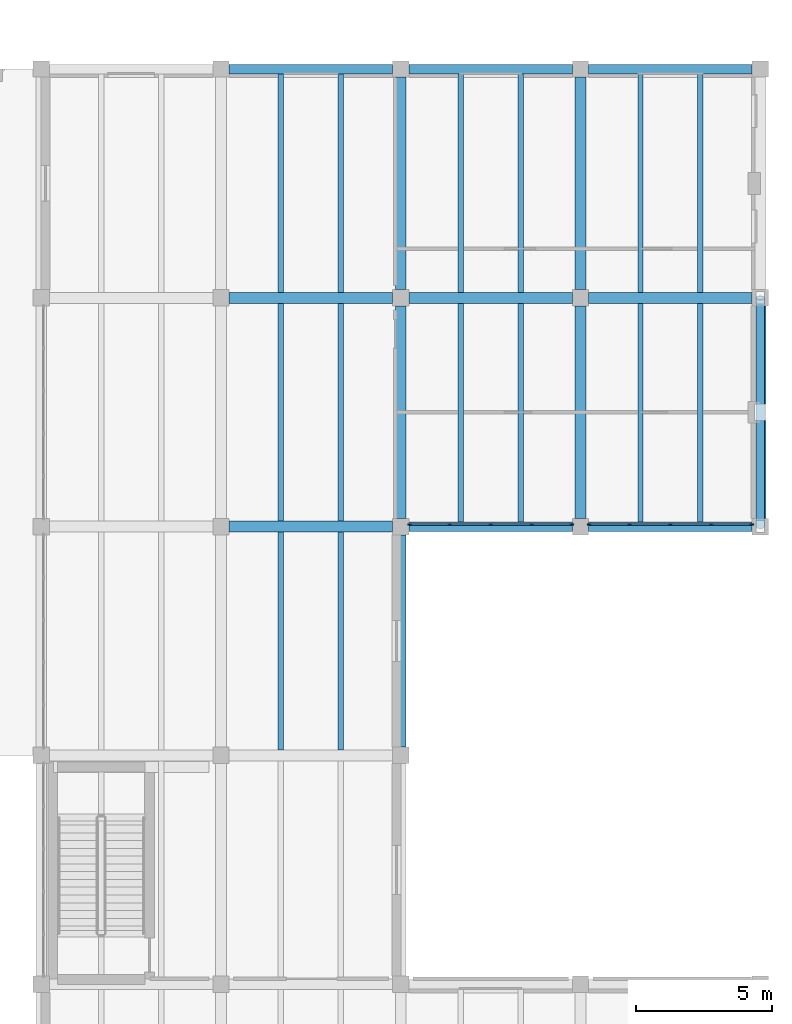
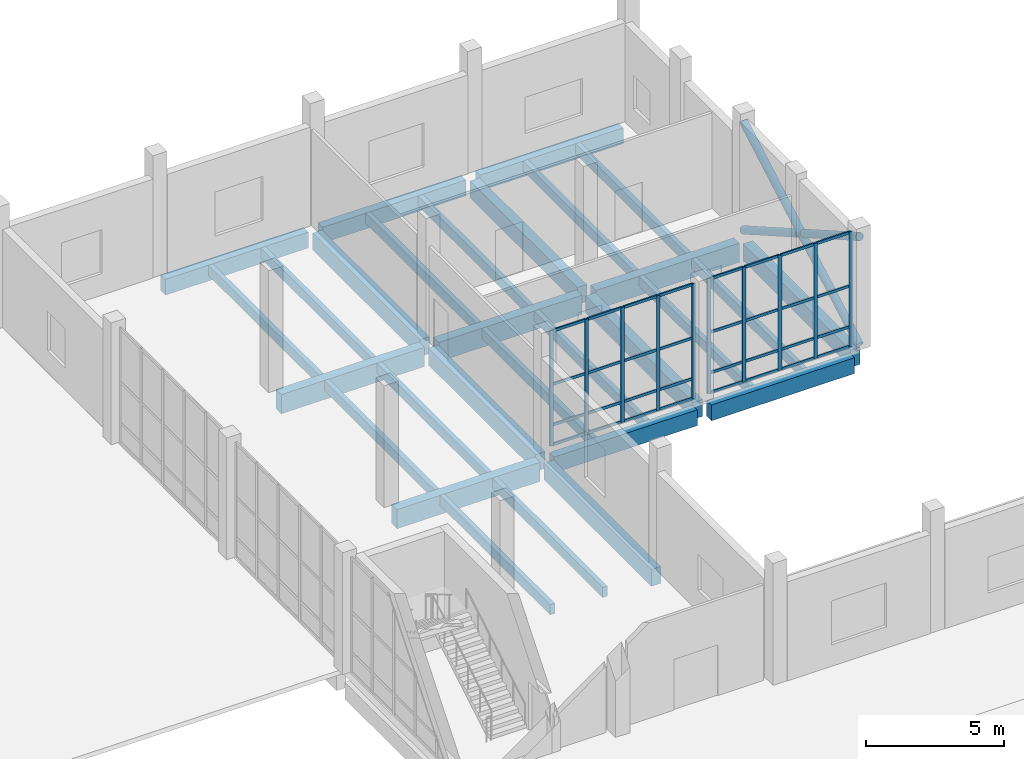
# One storey, part 26 of 64: 45 members, 29 beams, 2 elements without a shape of their own.
"""IFC4 building model written with IfcOpenShell, lengths in metres."""

from ifc_helpers import new_model, si_unit, direction, frame, origin, origin_2d, place, context, subcontext, project, spatial, rectangle, hollow_circle, extrude, material, material_profile, profile_set, type_object, element, aggregate, save


model = new_model("IFC4")

# Units and contexts
model_context = context("Model", 3, precision=1e-05, world=origin(), true_north=direction((0.0, 1.0)))
body_context = subcontext(model_context, "Body", "Model", "MODEL_VIEW")
ifc_project = project(units=[si_unit("LENGTHUNIT", "METRE"), si_unit("AREAUNIT", "SQUARE_METRE"), si_unit("VOLUMEUNIT", "CUBIC_METRE"), si_unit("PLANEANGLEUNIT", "RADIAN"), si_unit("MASSUNIT", "GRAM", prefix="KILO")], contexts=[model_context])

# Site, building, storey
site_placement = place(None, origin())
site = spatial("IfcSite", under=ifc_project, at=site_placement, CompositionType="ELEMENT")
building_placement = place(site_placement, origin())
building = spatial("IfcBuilding", under=site, at=building_placement, Name="Qaldarim Faculty of Natural and Applied Sciences", CompositionType="ELEMENT")
storey_placement = place(building_placement, origin())
storey = spatial("IfcBuildingStorey", under=building, at=storey_placement, Name="L00", CompositionType="ELEMENT", Elevation=0.0)

# Beams
ifc_material_1 = material(Name="Concrete C50/60", Category="concrete")
ifc_material_profile_1 = material_profile(ifc_material_1, rectangle(XDim=0.39990234375, YDim=0.75, at=origin_2d()), Name="RC-B400x750")
ifc_profile_set_1 = profile_set([ifc_material_profile_1], Name="Concrete C50/60")
beam_type_1 = type_object("IfcBeamType", Name="LabGirder-RC400x750", PredefinedType="BEAM", material=ifc_profile_set_1)
beam_1_placement = place(storey_placement, frame((165.0, 92.699951171875, -0.735107421875), z_axis=(0.0, 1.0, 0.0), x_axis=(-1.0, 0.0, 0.0)))
element("IfcBeam", 1, at=beam_1_placement, inside=storey, type_object=beam_type_1, Name="Beam RC-B400x750 B01 X26/Y12-Y13", PredefinedType="BEAM", context=body_context, shape_type="SweptSolid", body=[
    extrude(rectangle(XDim=0.39990234375, YDim=0.75, at=origin_2d()), origin(), (0.0, 0.0, 1.0), 7.800048828125),
])
beam_2_placement = place(storey_placement, frame((165.0, 101.10009765625, -0.735107421875), z_axis=(0.0, 1.0, 0.0), x_axis=(-1.0, 0.0, 0.0)))
element("IfcBeam", 2, at=beam_2_placement, inside=storey, type_object=beam_type_1, Name="Beam RC-B400x750 B01 X26/Y13-Y14", PredefinedType="BEAM", context=body_context, shape_type="SweptSolid", body=[
    extrude(rectangle(XDim=0.39990234375, YDim=0.75, at=origin_2d()), origin(), (0.0, 0.0, 1.0), 7.7998046875),
])
beam_3_placement = place(storey_placement, frame((165.0, 109.5, -0.735107421875), z_axis=(0.0, 1.0, 0.0), x_axis=(-1.0, 0.0, 0.0)))
element("IfcBeam", 3, at=beam_3_placement, inside=storey, type_object=beam_type_1, Name="Beam RC-B400x750 B01 X26/Y14-Y15", PredefinedType="BEAM", context=body_context, shape_type="SweptSolid", body=[
    extrude(rectangle(XDim=0.39990234375, YDim=0.75, at=origin_2d()), origin(), (0.0, 0.0, 1.0), 7.800048828125),
])
beam_4_placement = place(storey_placement, frame((171.60009765625, 101.10009765625, -0.735107421875), z_axis=(0.0, 1.0, 0.0), x_axis=(-1.0, 0.0, 0.0)))
element("IfcBeam", 4, at=beam_4_placement, inside=storey, type_object=beam_type_1, Name="Beam RC-B400x750 B01 X27/Y13-Y14", PredefinedType="BEAM", context=body_context, shape_type="SweptSolid", body=[
    extrude(rectangle(XDim=0.39990234375, YDim=0.75, at=origin_2d()), origin(), (0.0, 0.0, 1.0), 7.7998046875),
])
beam_5_placement = place(storey_placement, frame((171.60009765625, 109.5, -0.735107421875), z_axis=(0.0, 1.0, 0.0), x_axis=(-1.0, 0.0, 0.0)))
element("IfcBeam", 5, at=beam_5_placement, inside=storey, type_object=beam_type_1, Name="Beam RC-B400x750 B01 X27/Y14-Y15", PredefinedType="BEAM", context=body_context, shape_type="SweptSolid", body=[
    extrude(rectangle(XDim=0.39990234375, YDim=0.75, at=origin_2d()), origin(), (0.0, 0.0, 1.0), 7.800048828125),
])
beam_6_placement = place(storey_placement, frame((178.199951171875, 101.10009765625, -0.735107421875), z_axis=(0.0, 1.0, 0.0), x_axis=(-1.0, 0.0, 0.0)))
element("IfcBeam", 6, at=beam_6_placement, inside=storey, type_object=beam_type_1, Name="Beam RC-B400x750 B01 X28/Y13-Y14", PredefinedType="BEAM", context=body_context, shape_type="SweptSolid", body=[
    extrude(rectangle(XDim=0.39990234375, YDim=0.75, at=origin_2d()), origin(), (0.0, 0.0, 1.0), 7.7998046875),
])
ifc_material_2 = material(Name="Concrete C40/50", Category="concrete")
ifc_material_profile_2 = material_profile(ifc_material_2, rectangle(XDim=0.199951171875, YDim=0.449951171875, at=origin_2d()), Name="RC-J200x450")
ifc_profile_set_2 = profile_set([ifc_material_profile_2], Name="Concrete C40/50")
beam_type_2 = type_object("IfcBeamType", Name="LabJoist-RC200x450", PredefinedType="JOIST", material=ifc_profile_set_2)
for number, where, z_axis, x_axis, name in (
    (7, (160.60009765625, 92.60009765625, -0.5849609375), (0.0, 1.0, 0.0), (-1.0, 0.0, 0.0), "Laboratory joist B01 bay X25Y12-1"),
    (8, (162.800048828125, 92.60009765625, -0.5849609375), (0.0, 1.0, 0.0), (-1.0, 0.0, 0.0), "Laboratory joist B01 bay X25Y12-2"),
    (9, (160.60009765625, 101.0, -0.5849609375), (0.0, 1.0, 0.0), (-1.0, 0.0, 0.0), "Laboratory joist B01 bay X25Y13-1"),
    (10, (162.800048828125, 101.0, -0.5849609375), (0.0, 1.0, 0.0), (-1.0, 0.0, 0.0), "Laboratory joist B01 bay X25Y13-2"),
):
    element("IfcBeam", number, at=place(storey_placement, frame(where, z_axis=z_axis, x_axis=x_axis)), inside=storey, type_object=beam_type_2, Name=name, PredefinedType="JOIST", context=body_context, shape_type="SweptSolid", body=[
        extrude(rectangle(XDim=0.199951171875, YDim=0.449951171875, at=origin_2d()), origin(), (0.0, 0.0, 1.0), 8.0),
    ])
for number, where, z_axis, x_axis, name in (
    (11, (160.60009765625, 109.39990234375, -0.5849609375), (0.0, 1.0, 0.0), (-1.0, 0.0, 0.0), "Laboratory joist B01 bay X25Y14-1"),
    (12, (162.800048828125, 109.39990234375, -0.5849609375), (0.0, 1.0, 0.0), (-1.0, 0.0, 0.0), "Laboratory joist B01 bay X25Y14-2"),
):
    element("IfcBeam", number, at=place(storey_placement, frame(where, z_axis=z_axis, x_axis=x_axis)), inside=storey, type_object=beam_type_2, Name=name, PredefinedType="JOIST", context=body_context, shape_type="SweptSolid", body=[
        extrude(rectangle(XDim=0.199951171875, YDim=0.449951171875, at=origin_2d()), origin(), (0.0, 0.0, 1.0), 8.025146484375),
    ])
for number, where, z_axis, x_axis, name in (
    (13, (167.199951171875, 100.97509765625, -0.5849609375), (0.0, 1.0, 0.0), (-1.0, 0.0, 0.0), "Laboratory joist B01 bay X26Y13-1"),
    (14, (169.39990234375, 100.97509765625, -0.5849609375), (0.0, 1.0, 0.0), (-1.0, 0.0, 0.0), "Laboratory joist B01 bay X26Y13-2"),
):
    element("IfcBeam", number, at=place(storey_placement, frame(where, z_axis=z_axis, x_axis=x_axis)), inside=storey, type_object=beam_type_2, Name=name, PredefinedType="JOIST", context=body_context, shape_type="SweptSolid", body=[
        extrude(rectangle(XDim=0.199951171875, YDim=0.449951171875, at=origin_2d()), origin(), (0.0, 0.0, 1.0), 8.02490234375),
    ])
for number, where, z_axis, x_axis, name in (
    (15, (167.199951171875, 109.39990234375, -0.5849609375), (0.0, 1.0, 0.0), (-1.0, 0.0, 0.0), "Laboratory joist B01 bay X26Y14-1"),
    (16, (169.39990234375, 109.39990234375, -0.5849609375), (0.0, 1.0, 0.0), (-1.0, 0.0, 0.0), "Laboratory joist B01 bay X26Y14-2"),
):
    element("IfcBeam", number, at=place(storey_placement, frame(where, z_axis=z_axis, x_axis=x_axis)), inside=storey, type_object=beam_type_2, Name=name, PredefinedType="JOIST", context=body_context, shape_type="SweptSolid", body=[
        extrude(rectangle(XDim=0.199951171875, YDim=0.449951171875, at=origin_2d()), origin(), (0.0, 0.0, 1.0), 8.025146484375),
    ])
for number, where, z_axis, x_axis, name in (
    (17, (173.800048828125, 100.97509765625, -0.5849609375), (0.0, 1.0, 0.0), (-1.0, 0.0, 0.0), "Laboratory joist B01 bay X27Y13-1"),
    (18, (176.0, 100.97509765625, -0.5849609375), (0.0, 1.0, 0.0), (-1.0, 0.0, 0.0), "Laboratory joist B01 bay X27Y13-2"),
):
    element("IfcBeam", number, at=place(storey_placement, frame(where, z_axis=z_axis, x_axis=x_axis)), inside=storey, type_object=beam_type_2, Name=name, PredefinedType="JOIST", context=body_context, shape_type="SweptSolid", body=[
        extrude(rectangle(XDim=0.199951171875, YDim=0.449951171875, at=origin_2d()), origin(), (0.0, 0.0, 1.0), 8.02490234375),
    ])
for number, where, z_axis, x_axis, name in (
    (19, (173.800048828125, 109.39990234375, -0.5849609375), (0.0, 1.0, 0.0), (-1.0, 0.0, 0.0), "Laboratory joist B01 bay X27Y14-1"),
    (20, (176.0, 109.39990234375, -0.5849609375), (0.0, 1.0, 0.0), (-1.0, 0.0, 0.0), "Laboratory joist B01 bay X27Y14-2"),
):
    element("IfcBeam", number, at=place(storey_placement, frame(where, z_axis=z_axis, x_axis=x_axis)), inside=storey, type_object=beam_type_2, Name=name, PredefinedType="JOIST", context=body_context, shape_type="SweptSolid", body=[
        extrude(rectangle(XDim=0.199951171875, YDim=0.449951171875, at=origin_2d()), origin(), (0.0, 0.0, 1.0), 8.025146484375),
    ])

# Members
ifc_material_3 = material(Name="Structural steel S355", Category="steel")
ifc_material_profile_3 = material_profile(ifc_material_3, hollow_circle(Radius=0.161865234375, WallThickness=0.02001953125, at=origin_2d()), Name="CHS 323.9x20.0")
ifc_profile_set_3 = profile_set([ifc_material_profile_3], Name="Structural steel S355")
member_type_1 = type_object("IfcMemberType", Name="LowerWingBrace-CHS323-9x20", PredefinedType="BRACE", material=ifc_profile_set_3)
member_1_placement = place(storey_placement, frame((178.199951171875, 100.800048828125, 0.0), z_axis=(0.0, 0.8682384833, 0.49614709121), x_axis=(-1.0, 0.0, 0.0)))
element("IfcMember", 21, at=member_1_placement, inside=storey, type_object=member_type_1, Name="Commons east diagrid L00 primary brace L", PredefinedType="BRACE", context=body_context, shape_type="SweptSolid", body=[
    extrude(hollow_circle(Radius=0.161865234375, WallThickness=0.02001953125, at=origin_2d()), origin(), (0.0, 0.0, 1.0), 9.674560546875),
])
for number, where, z_axis, x_axis, name in (
    (22, (178.199951171875, 109.199951171875, 0.0), (0.0, -0.868373251321, 0.495911177924), (1.0, 0.0, 0.0), "Commons east diagrid L00 split secondary lower brace R1"),
    (23, (178.199951171875, 104.81005859375, 2.510009765625), (0.0, -0.868373251321, 0.495911177924), (1.0, 0.0, 0.0), "Commons east diagrid L00 split secondary upper brace R2"),
):
    element("IfcMember", number, at=place(storey_placement, frame(where, z_axis=z_axis, x_axis=x_axis)), inside=storey, type_object=member_type_1, Name=name, PredefinedType="BRACE", context=body_context, shape_type="SweptSolid", body=[
        extrude(hollow_circle(Radius=0.161865234375, WallThickness=0.02001953125, at=origin_2d()), origin(), (0.0, 0.0, 1.0), 4.617919921875),
    ])

# Curtain wall, members
ifc_material_4 = material(Name="Anodised aluminium AW-6063", Category="aluminium")
curtain_wall_type = type_object("IfcCurtainWallType", Name="CurtainWallSystem-M1600", PredefinedType="USERDEFINED", material=ifc_material_4)
curtain_wall_1_placement = place(storey_placement, origin())
curtain_wall_1 = element("IfcCurtainWall", 24, at=curtain_wall_1_placement, inside=storey, type_object=curtain_wall_type, Name="Curtain wall CW-L00-S-X26Y13", ObjectType="UNITISED FACADE", PredefinedType="USERDEFINED")
ifc_material_profile_4 = material_profile(ifc_material_4, rectangle(XDim=0.06005859375, YDim=0.14990234375, at=origin_2d()), Name="ALU-M60x150")
ifc_profile_set_4 = profile_set([ifc_material_profile_4], Name="Anodised aluminium AW-6063")
member_type_2 = type_object("IfcMemberType", Name="Mullion-ALU60x150", PredefinedType="MULLION", material=ifc_profile_set_4)
member_2_placement = place(storey_placement, frame((165.324951171875, 100.8798828125, 0.0), z_axis=(0.0, 0.0, 1.0), x_axis=(0.0, 1.0, 0.0)))
member_2 = element("IfcMember", 25, at=member_2_placement, type_object=member_type_2, Name="Mullion 1 of CW-L00-S-X26Y13", PredefinedType="MULLION", context=body_context, shape_type="SweptSolid", body=[
    extrude(rectangle(XDim=0.06005859375, YDim=0.14990234375, at=origin_2d()), origin(), (0.0, 0.0, 1.0), 5.10009765625),
])
member_3_placement = place(storey_placement, frame((166.797607421875, 100.8798828125, 0.0), z_axis=(0.0, 0.0, 1.0), x_axis=(0.0, 1.0, 0.0)))
member_3 = element("IfcMember", 26, at=member_3_placement, type_object=member_type_2, Name="Mullion 2 of CW-L00-S-X26Y13", PredefinedType="MULLION", context=body_context, shape_type="SweptSolid", body=[
    extrude(rectangle(XDim=0.06005859375, YDim=0.14990234375, at=origin_2d()), origin(), (0.0, 0.0, 1.0), 5.10009765625),
])
member_4_placement = place(storey_placement, frame((168.300048828125, 100.8798828125, 0.0), z_axis=(0.0, 0.0, 1.0), x_axis=(0.0, 1.0, 0.0)))
member_4 = element("IfcMember", 27, at=member_4_placement, type_object=member_type_2, Name="Mullion 3 of CW-L00-S-X26Y13", PredefinedType="MULLION", context=body_context, shape_type="SweptSolid", body=[
    extrude(rectangle(XDim=0.06005859375, YDim=0.14990234375, at=origin_2d()), origin(), (0.0, 0.0, 1.0), 5.10009765625),
])
member_5_placement = place(storey_placement, frame((169.802490234375, 100.8798828125, 0.0), z_axis=(0.0, 0.0, 1.0), x_axis=(0.0, 1.0, 0.0)))
member_5 = element("IfcMember", 28, at=member_5_placement, type_object=member_type_2, Name="Mullion 4 of CW-L00-S-X26Y13", PredefinedType="MULLION", context=body_context, shape_type="SweptSolid", body=[
    extrude(rectangle(XDim=0.06005859375, YDim=0.14990234375, at=origin_2d()), origin(), (0.0, 0.0, 1.0), 5.10009765625),
])
member_6_placement = place(storey_placement, frame((171.27490234375, 100.8798828125, 0.0), z_axis=(0.0, 0.0, 1.0), x_axis=(0.0, 1.0, 0.0)))
member_6 = element("IfcMember", 29, at=member_6_placement, type_object=member_type_2, Name="Mullion 5 of CW-L00-S-X26Y13", PredefinedType="MULLION", context=body_context, shape_type="SweptSolid", body=[
    extrude(rectangle(XDim=0.06005859375, YDim=0.14990234375, at=origin_2d()), origin(), (0.0, 0.0, 1.0), 5.10009765625),
])

curtain_wall_2_placement = place(storey_placement, origin())
curtain_wall_2 = element("IfcCurtainWall", 30, at=curtain_wall_2_placement, inside=storey, type_object=curtain_wall_type, Name="Curtain wall CW-L00-S-X27Y13", ObjectType="UNITISED FACADE", PredefinedType="USERDEFINED")
member_7_placement = place(storey_placement, frame((171.925048828125, 100.8798828125, 0.0), z_axis=(0.0, 0.0, 1.0), x_axis=(0.0, 1.0, 0.0)))
member_7 = element("IfcMember", 31, at=member_7_placement, type_object=member_type_2, Name="Mullion 1 of CW-L00-S-X27Y13", PredefinedType="MULLION", context=body_context, shape_type="SweptSolid", body=[
    extrude(rectangle(XDim=0.06005859375, YDim=0.14990234375, at=origin_2d()), origin(), (0.0, 0.0, 1.0), 5.10009765625),
])
member_8_placement = place(storey_placement, frame((173.3974609375, 100.8798828125, 0.0), z_axis=(0.0, 0.0, 1.0), x_axis=(0.0, 1.0, 0.0)))
member_8 = element("IfcMember", 32, at=member_8_placement, type_object=member_type_2, Name="Mullion 2 of CW-L00-S-X27Y13", PredefinedType="MULLION", context=body_context, shape_type="SweptSolid", body=[
    extrude(rectangle(XDim=0.06005859375, YDim=0.14990234375, at=origin_2d()), origin(), (0.0, 0.0, 1.0), 5.10009765625),
])
member_9_placement = place(storey_placement, frame((174.89990234375, 100.8798828125, 0.0), z_axis=(0.0, 0.0, 1.0), x_axis=(0.0, 1.0, 0.0)))
member_9 = element("IfcMember", 33, at=member_9_placement, type_object=member_type_2, Name="Mullion 3 of CW-L00-S-X27Y13", PredefinedType="MULLION", context=body_context, shape_type="SweptSolid", body=[
    extrude(rectangle(XDim=0.06005859375, YDim=0.14990234375, at=origin_2d()), origin(), (0.0, 0.0, 1.0), 5.10009765625),
])
member_10_placement = place(storey_placement, frame((176.402587890625, 100.8798828125, 0.0), z_axis=(0.0, 0.0, 1.0), x_axis=(0.0, 1.0, 0.0)))
member_10 = element("IfcMember", 34, at=member_10_placement, type_object=member_type_2, Name="Mullion 4 of CW-L00-S-X27Y13", PredefinedType="MULLION", context=body_context, shape_type="SweptSolid", body=[
    extrude(rectangle(XDim=0.06005859375, YDim=0.14990234375, at=origin_2d()), origin(), (0.0, 0.0, 1.0), 5.10009765625),
])
member_11_placement = place(storey_placement, frame((177.875, 100.8798828125, 0.0), z_axis=(0.0, 0.0, 1.0), x_axis=(0.0, 1.0, 0.0)))
member_11 = element("IfcMember", 35, at=member_11_placement, type_object=member_type_2, Name="Mullion 5 of CW-L00-S-X27Y13", PredefinedType="MULLION", context=body_context, shape_type="SweptSolid", body=[
    extrude(rectangle(XDim=0.06005859375, YDim=0.14990234375, at=origin_2d()), origin(), (0.0, 0.0, 1.0), 5.10009765625),
])

# Beams
ifc_material_profile_5 = material_profile(ifc_material_1, rectangle(XDim=0.39990234375, YDim=0.85009765625, at=origin_2d()), Name="RC-B400x850")
ifc_profile_set_5 = profile_set([ifc_material_profile_5], Name="Concrete C50/60")
beam_type_3 = type_object("IfcBeamType", Name="PodiumGirder-RC400x850", PredefinedType="BEAM", material=ifc_profile_set_5)
for number, where, z_axis, x_axis, name in (
    (36, (158.699951171875, 100.800048828125, -0.784912109375), (1.0, 0.0, 0.0), (0.0, 1.0, 0.0), "Beam RC-B400x850 B01 X25-X26/Y13"),
    (37, (158.699951171875, 109.199951171875, -0.784912109375), (1.0, 0.0, 0.0), (0.0, 1.0, 0.0), "Beam RC-B400x850 B01 X25-X26/Y14"),
    (38, (165.300048828125, 109.199951171875, -0.784912109375), (1.0, 0.0, 0.0), (0.0, 1.0, 0.0), "Beam RC-B400x850 B01 X26-X27/Y14"),
    (39, (171.89990234375, 109.199951171875, -0.784912109375), (1.0, 0.0, 0.0), (0.0, 1.0, 0.0), "Beam RC-B400x850 B01 X27-X28/Y14"),
):
    element("IfcBeam", number, at=place(storey_placement, frame(where, z_axis=z_axis, x_axis=x_axis)), inside=storey, type_object=beam_type_3, Name=name, PredefinedType="BEAM", context=body_context, shape_type="SweptSolid", body=[
        extrude(rectangle(XDim=0.39990234375, YDim=0.85009765625, at=origin_2d()), origin(), (0.0, 0.0, 1.0), 6.0),
    ])
ifc_material_profile_6 = material_profile(ifc_material_2, rectangle(XDim=0.35009765625, YDim=0.699951171875, at=origin_2d()), Name="RC-B350x700")
ifc_profile_set_6 = profile_set([ifc_material_profile_6], Name="Concrete C40/50")
beam_type_4 = type_object("IfcBeamType", Name="PrimaryGirder-RC350x700", PredefinedType="BEAM", material=ifc_profile_set_6)
for number, where, z_axis, x_axis, name in (
    (40, (165.300048828125, 100.800048828125, -0.7099609375), (1.0, 0.0, 0.0), (0.0, 1.0, 0.0), "Beam RC-B350x700 B01 X26-X27/Y13"),
    (41, (171.89990234375, 100.800048828125, -0.7099609375), (1.0, 0.0, 0.0), (0.0, 1.0, 0.0), "Beam RC-B350x700 B01 X27-X28/Y13"),
    (42, (158.699951171875, 117.60009765625, -0.7099609375), (1.0, 0.0, 0.0), (0.0, 1.0, 0.0), "Beam RC-B350x700 B01 X25-X26/Y15"),
    (43, (165.300048828125, 117.60009765625, -0.7099609375), (1.0, 0.0, 0.0), (0.0, 1.0, 0.0), "Beam RC-B350x700 B01 X26-X27/Y15"),
    (44, (171.89990234375, 117.60009765625, -0.7099609375), (1.0, 0.0, 0.0), (0.0, 1.0, 0.0), "Beam RC-B350x700 B01 X27-X28/Y15"),
):
    element("IfcBeam", number, at=place(storey_placement, frame(where, z_axis=z_axis, x_axis=x_axis)), inside=storey, type_object=beam_type_4, Name=name, PredefinedType="BEAM", context=body_context, shape_type="SweptSolid", body=[
        extrude(rectangle(XDim=0.35009765625, YDim=0.699951171875, at=origin_2d()), origin(), (0.0, 0.0, 1.0), 6.0),
    ])

# Member
ifc_material_profile_7 = material_profile(ifc_material_4, rectangle(XDim=0.06005859375, YDim=0.1201171875, at=origin_2d()), Name="ALU-T60x120")
ifc_profile_set_7 = profile_set([ifc_material_profile_7], Name="Anodised aluminium AW-6063")
member_type_3 = type_object("IfcMemberType", Name="Transom-ALU60x120", PredefinedType="USERDEFINED", material=ifc_profile_set_7)
member_12_placement = place(storey_placement, frame((165.35498046875, 100.8798828125, 0.030029296875), z_axis=(1.0, 0.0, 0.0), x_axis=(0.0, 1.0, 0.0)))
member_12 = element("IfcMember", 45, at=member_12_placement, type_object=member_type_3, Name="Transom 1-1 of CW-L00-S-X26Y13", ObjectType="TRANSOM", PredefinedType="USERDEFINED", context=body_context, shape_type="SweptSolid", body=[
    extrude(rectangle(XDim=0.06005859375, YDim=0.1201171875, at=origin_2d()), origin(), (0.0, 0.0, 1.0), 1.41259765625),
])

member_13_placement = place(storey_placement, frame((165.35498046875, 100.8798828125, 0.89990234375), z_axis=(1.0, 0.0, 0.0), x_axis=(0.0, 1.0, 0.0)))
member_13 = element("IfcMember", 46, at=member_13_placement, type_object=member_type_3, Name="Transom 1-2 of CW-L00-S-X26Y13", ObjectType="TRANSOM", PredefinedType="USERDEFINED", context=body_context, shape_type="SweptSolid", body=[
    extrude(rectangle(XDim=0.06005859375, YDim=0.1201171875, at=origin_2d()), origin(), (0.0, 0.0, 1.0), 1.41259765625),
])

member_14_placement = place(storey_placement, frame((165.35498046875, 100.8798828125, 2.699951171875), z_axis=(1.0, 0.0, 0.0), x_axis=(0.0, 1.0, 0.0)))
member_14 = element("IfcMember", 47, at=member_14_placement, type_object=member_type_3, Name="Transom 1-3 of CW-L00-S-X26Y13", ObjectType="TRANSOM", PredefinedType="USERDEFINED", context=body_context, shape_type="SweptSolid", body=[
    extrude(rectangle(XDim=0.06005859375, YDim=0.1201171875, at=origin_2d()), origin(), (0.0, 0.0, 1.0), 1.41259765625),
])

member_15_placement = place(storey_placement, frame((165.35498046875, 100.8798828125, 5.070068359375), z_axis=(1.0, 0.0, 0.0), x_axis=(0.0, 1.0, 0.0)))
member_15 = element("IfcMember", 48, at=member_15_placement, type_object=member_type_3, Name="Transom 1-4 of CW-L00-S-X26Y13", ObjectType="TRANSOM", PredefinedType="USERDEFINED", context=body_context, shape_type="SweptSolid", body=[
    extrude(rectangle(XDim=0.06005859375, YDim=0.1201171875, at=origin_2d()), origin(), (0.0, 0.0, 1.0), 1.41259765625),
])

member_16_placement = place(storey_placement, frame((166.827392578125, 100.8798828125, 0.030029296875), z_axis=(1.0, 0.0, 0.0), x_axis=(0.0, 1.0, 0.0)))
member_16 = element("IfcMember", 49, at=member_16_placement, type_object=member_type_3, Name="Transom 2-1 of CW-L00-S-X26Y13", ObjectType="TRANSOM", PredefinedType="USERDEFINED", context=body_context, shape_type="SweptSolid", body=[
    extrude(rectangle(XDim=0.06005859375, YDim=0.1201171875, at=origin_2d()), origin(), (0.0, 0.0, 1.0), 1.442626953125),
])

member_17_placement = place(storey_placement, frame((166.827392578125, 100.8798828125, 0.89990234375), z_axis=(1.0, 0.0, 0.0), x_axis=(0.0, 1.0, 0.0)))
member_17 = element("IfcMember", 50, at=member_17_placement, type_object=member_type_3, Name="Transom 2-2 of CW-L00-S-X26Y13", ObjectType="TRANSOM", PredefinedType="USERDEFINED", context=body_context, shape_type="SweptSolid", body=[
    extrude(rectangle(XDim=0.06005859375, YDim=0.1201171875, at=origin_2d()), origin(), (0.0, 0.0, 1.0), 1.442626953125),
])

member_18_placement = place(storey_placement, frame((166.827392578125, 100.8798828125, 2.699951171875), z_axis=(1.0, 0.0, 0.0), x_axis=(0.0, 1.0, 0.0)))
member_18 = element("IfcMember", 51, at=member_18_placement, type_object=member_type_3, Name="Transom 2-3 of CW-L00-S-X26Y13", ObjectType="TRANSOM", PredefinedType="USERDEFINED", context=body_context, shape_type="SweptSolid", body=[
    extrude(rectangle(XDim=0.06005859375, YDim=0.1201171875, at=origin_2d()), origin(), (0.0, 0.0, 1.0), 1.442626953125),
])

member_19_placement = place(storey_placement, frame((166.827392578125, 100.8798828125, 5.070068359375), z_axis=(1.0, 0.0, 0.0), x_axis=(0.0, 1.0, 0.0)))
member_19 = element("IfcMember", 52, at=member_19_placement, type_object=member_type_3, Name="Transom 2-4 of CW-L00-S-X26Y13", ObjectType="TRANSOM", PredefinedType="USERDEFINED", context=body_context, shape_type="SweptSolid", body=[
    extrude(rectangle(XDim=0.06005859375, YDim=0.1201171875, at=origin_2d()), origin(), (0.0, 0.0, 1.0), 1.442626953125),
])

member_20_placement = place(storey_placement, frame((168.330078125, 100.8798828125, 0.030029296875), z_axis=(1.0, 0.0, 0.0), x_axis=(0.0, 1.0, 0.0)))
member_20 = element("IfcMember", 53, at=member_20_placement, type_object=member_type_3, Name="Transom 3-1 of CW-L00-S-X26Y13", ObjectType="TRANSOM", PredefinedType="USERDEFINED", context=body_context, shape_type="SweptSolid", body=[
    extrude(rectangle(XDim=0.06005859375, YDim=0.1201171875, at=origin_2d()), origin(), (0.0, 0.0, 1.0), 1.4423828125),
])

member_21_placement = place(storey_placement, frame((168.330078125, 100.8798828125, 0.89990234375), z_axis=(1.0, 0.0, 0.0), x_axis=(0.0, 1.0, 0.0)))
member_21 = element("IfcMember", 54, at=member_21_placement, type_object=member_type_3, Name="Transom 3-2 of CW-L00-S-X26Y13", ObjectType="TRANSOM", PredefinedType="USERDEFINED", context=body_context, shape_type="SweptSolid", body=[
    extrude(rectangle(XDim=0.06005859375, YDim=0.1201171875, at=origin_2d()), origin(), (0.0, 0.0, 1.0), 1.4423828125),
])

member_22_placement = place(storey_placement, frame((168.330078125, 100.8798828125, 2.699951171875), z_axis=(1.0, 0.0, 0.0), x_axis=(0.0, 1.0, 0.0)))
member_22 = element("IfcMember", 55, at=member_22_placement, type_object=member_type_3, Name="Transom 3-3 of CW-L00-S-X26Y13", ObjectType="TRANSOM", PredefinedType="USERDEFINED", context=body_context, shape_type="SweptSolid", body=[
    extrude(rectangle(XDim=0.06005859375, YDim=0.1201171875, at=origin_2d()), origin(), (0.0, 0.0, 1.0), 1.4423828125),
])

member_23_placement = place(storey_placement, frame((168.330078125, 100.8798828125, 5.070068359375), z_axis=(1.0, 0.0, 0.0), x_axis=(0.0, 1.0, 0.0)))
member_23 = element("IfcMember", 56, at=member_23_placement, type_object=member_type_3, Name="Transom 3-4 of CW-L00-S-X26Y13", ObjectType="TRANSOM", PredefinedType="USERDEFINED", context=body_context, shape_type="SweptSolid", body=[
    extrude(rectangle(XDim=0.06005859375, YDim=0.1201171875, at=origin_2d()), origin(), (0.0, 0.0, 1.0), 1.4423828125),
])

member_24_placement = place(storey_placement, frame((169.83251953125, 100.8798828125, 0.030029296875), z_axis=(1.0, 0.0, 0.0), x_axis=(0.0, 1.0, 0.0)))
member_24 = element("IfcMember", 57, at=member_24_placement, type_object=member_type_3, Name="Transom 4-1 of CW-L00-S-X26Y13", ObjectType="TRANSOM", PredefinedType="USERDEFINED", context=body_context, shape_type="SweptSolid", body=[
    extrude(rectangle(XDim=0.06005859375, YDim=0.1201171875, at=origin_2d()), origin(), (0.0, 0.0, 1.0), 1.41259765625),
])

member_25_placement = place(storey_placement, frame((169.83251953125, 100.8798828125, 0.89990234375), z_axis=(1.0, 0.0, 0.0), x_axis=(0.0, 1.0, 0.0)))
member_25 = element("IfcMember", 58, at=member_25_placement, type_object=member_type_3, Name="Transom 4-2 of CW-L00-S-X26Y13", ObjectType="TRANSOM", PredefinedType="USERDEFINED", context=body_context, shape_type="SweptSolid", body=[
    extrude(rectangle(XDim=0.06005859375, YDim=0.1201171875, at=origin_2d()), origin(), (0.0, 0.0, 1.0), 1.41259765625),
])

member_26_placement = place(storey_placement, frame((169.83251953125, 100.8798828125, 2.699951171875), z_axis=(1.0, 0.0, 0.0), x_axis=(0.0, 1.0, 0.0)))
member_26 = element("IfcMember", 59, at=member_26_placement, type_object=member_type_3, Name="Transom 4-3 of CW-L00-S-X26Y13", ObjectType="TRANSOM", PredefinedType="USERDEFINED", context=body_context, shape_type="SweptSolid", body=[
    extrude(rectangle(XDim=0.06005859375, YDim=0.1201171875, at=origin_2d()), origin(), (0.0, 0.0, 1.0), 1.41259765625),
])

member_27_placement = place(storey_placement, frame((169.83251953125, 100.8798828125, 5.070068359375), z_axis=(1.0, 0.0, 0.0), x_axis=(0.0, 1.0, 0.0)))
member_27 = element("IfcMember", 60, at=member_27_placement, type_object=member_type_3, Name="Transom 4-4 of CW-L00-S-X26Y13", ObjectType="TRANSOM", PredefinedType="USERDEFINED", context=body_context, shape_type="SweptSolid", body=[
    extrude(rectangle(XDim=0.06005859375, YDim=0.1201171875, at=origin_2d()), origin(), (0.0, 0.0, 1.0), 1.41259765625),
])

aggregate(curtain_wall_1, [member_2, member_3, member_4, member_5, member_6, member_12, member_13, member_14, member_15, member_16, member_17, member_18, member_19, member_20, member_21, member_22, member_23, member_24, member_25, member_26, member_27])

member_28_placement = place(storey_placement, frame((171.955078125, 100.8798828125, 0.030029296875), z_axis=(1.0, 0.0, 0.0), x_axis=(0.0, 1.0, 0.0)))
member_28 = element("IfcMember", 61, at=member_28_placement, type_object=member_type_3, Name="Transom 1-1 of CW-L00-S-X27Y13", ObjectType="TRANSOM", PredefinedType="USERDEFINED", context=body_context, shape_type="SweptSolid", body=[
    extrude(rectangle(XDim=0.06005859375, YDim=0.1201171875, at=origin_2d()), origin(), (0.0, 0.0, 1.0), 1.412353515625),
])

member_29_placement = place(storey_placement, frame((171.955078125, 100.8798828125, 0.89990234375), z_axis=(1.0, 0.0, 0.0), x_axis=(0.0, 1.0, 0.0)))
member_29 = element("IfcMember", 62, at=member_29_placement, type_object=member_type_3, Name="Transom 1-2 of CW-L00-S-X27Y13", ObjectType="TRANSOM", PredefinedType="USERDEFINED", context=body_context, shape_type="SweptSolid", body=[
    extrude(rectangle(XDim=0.06005859375, YDim=0.1201171875, at=origin_2d()), origin(), (0.0, 0.0, 1.0), 1.412353515625),
])

member_30_placement = place(storey_placement, frame((171.955078125, 100.8798828125, 2.699951171875), z_axis=(1.0, 0.0, 0.0), x_axis=(0.0, 1.0, 0.0)))
member_30 = element("IfcMember", 63, at=member_30_placement, type_object=member_type_3, Name="Transom 1-3 of CW-L00-S-X27Y13", ObjectType="TRANSOM", PredefinedType="USERDEFINED", context=body_context, shape_type="SweptSolid", body=[
    extrude(rectangle(XDim=0.06005859375, YDim=0.1201171875, at=origin_2d()), origin(), (0.0, 0.0, 1.0), 1.412353515625),
])

member_31_placement = place(storey_placement, frame((171.955078125, 100.8798828125, 5.070068359375), z_axis=(1.0, 0.0, 0.0), x_axis=(0.0, 1.0, 0.0)))
member_31 = element("IfcMember", 64, at=member_31_placement, type_object=member_type_3, Name="Transom 1-4 of CW-L00-S-X27Y13", ObjectType="TRANSOM", PredefinedType="USERDEFINED", context=body_context, shape_type="SweptSolid", body=[
    extrude(rectangle(XDim=0.06005859375, YDim=0.1201171875, at=origin_2d()), origin(), (0.0, 0.0, 1.0), 1.412353515625),
])

member_32_placement = place(storey_placement, frame((173.427490234375, 100.8798828125, 0.030029296875), z_axis=(1.0, 0.0, 0.0), x_axis=(0.0, 1.0, 0.0)))
member_32 = element("IfcMember", 65, at=member_32_placement, type_object=member_type_3, Name="Transom 2-1 of CW-L00-S-X27Y13", ObjectType="TRANSOM", PredefinedType="USERDEFINED", context=body_context, shape_type="SweptSolid", body=[
    extrude(rectangle(XDim=0.06005859375, YDim=0.1201171875, at=origin_2d()), origin(), (0.0, 0.0, 1.0), 1.442626953125),
])

member_33_placement = place(storey_placement, frame((173.427490234375, 100.8798828125, 0.89990234375), z_axis=(1.0, 0.0, 0.0), x_axis=(0.0, 1.0, 0.0)))
member_33 = element("IfcMember", 66, at=member_33_placement, type_object=member_type_3, Name="Transom 2-2 of CW-L00-S-X27Y13", ObjectType="TRANSOM", PredefinedType="USERDEFINED", context=body_context, shape_type="SweptSolid", body=[
    extrude(rectangle(XDim=0.06005859375, YDim=0.1201171875, at=origin_2d()), origin(), (0.0, 0.0, 1.0), 1.442626953125),
])

member_34_placement = place(storey_placement, frame((173.427490234375, 100.8798828125, 2.699951171875), z_axis=(1.0, 0.0, 0.0), x_axis=(0.0, 1.0, 0.0)))
member_34 = element("IfcMember", 67, at=member_34_placement, type_object=member_type_3, Name="Transom 2-3 of CW-L00-S-X27Y13", ObjectType="TRANSOM", PredefinedType="USERDEFINED", context=body_context, shape_type="SweptSolid", body=[
    extrude(rectangle(XDim=0.06005859375, YDim=0.1201171875, at=origin_2d()), origin(), (0.0, 0.0, 1.0), 1.442626953125),
])

member_35_placement = place(storey_placement, frame((173.427490234375, 100.8798828125, 5.070068359375), z_axis=(1.0, 0.0, 0.0), x_axis=(0.0, 1.0, 0.0)))
member_35 = element("IfcMember", 68, at=member_35_placement, type_object=member_type_3, Name="Transom 2-4 of CW-L00-S-X27Y13", ObjectType="TRANSOM", PredefinedType="USERDEFINED", context=body_context, shape_type="SweptSolid", body=[
    extrude(rectangle(XDim=0.06005859375, YDim=0.1201171875, at=origin_2d()), origin(), (0.0, 0.0, 1.0), 1.442626953125),
])

member_36_placement = place(storey_placement, frame((174.929931640625, 100.8798828125, 0.030029296875), z_axis=(1.0, 0.0, 0.0), x_axis=(0.0, 1.0, 0.0)))
member_36 = element("IfcMember", 69, at=member_36_placement, type_object=member_type_3, Name="Transom 3-1 of CW-L00-S-X27Y13", ObjectType="TRANSOM", PredefinedType="USERDEFINED", context=body_context, shape_type="SweptSolid", body=[
    extrude(rectangle(XDim=0.06005859375, YDim=0.1201171875, at=origin_2d()), origin(), (0.0, 0.0, 1.0), 1.442626953125),
])

member_37_placement = place(storey_placement, frame((174.929931640625, 100.8798828125, 0.89990234375), z_axis=(1.0, 0.0, 0.0), x_axis=(0.0, 1.0, 0.0)))
member_37 = element("IfcMember", 70, at=member_37_placement, type_object=member_type_3, Name="Transom 3-2 of CW-L00-S-X27Y13", ObjectType="TRANSOM", PredefinedType="USERDEFINED", context=body_context, shape_type="SweptSolid", body=[
    extrude(rectangle(XDim=0.06005859375, YDim=0.1201171875, at=origin_2d()), origin(), (0.0, 0.0, 1.0), 1.442626953125),
])

member_38_placement = place(storey_placement, frame((174.929931640625, 100.8798828125, 2.699951171875), z_axis=(1.0, 0.0, 0.0), x_axis=(0.0, 1.0, 0.0)))
member_38 = element("IfcMember", 71, at=member_38_placement, type_object=member_type_3, Name="Transom 3-3 of CW-L00-S-X27Y13", ObjectType="TRANSOM", PredefinedType="USERDEFINED", context=body_context, shape_type="SweptSolid", body=[
    extrude(rectangle(XDim=0.06005859375, YDim=0.1201171875, at=origin_2d()), origin(), (0.0, 0.0, 1.0), 1.442626953125),
])

member_39_placement = place(storey_placement, frame((174.929931640625, 100.8798828125, 5.070068359375), z_axis=(1.0, 0.0, 0.0), x_axis=(0.0, 1.0, 0.0)))
member_39 = element("IfcMember", 72, at=member_39_placement, type_object=member_type_3, Name="Transom 3-4 of CW-L00-S-X27Y13", ObjectType="TRANSOM", PredefinedType="USERDEFINED", context=body_context, shape_type="SweptSolid", body=[
    extrude(rectangle(XDim=0.06005859375, YDim=0.1201171875, at=origin_2d()), origin(), (0.0, 0.0, 1.0), 1.442626953125),
])

member_40_placement = place(storey_placement, frame((176.4326171875, 100.8798828125, 0.030029296875), z_axis=(1.0, 0.0, 0.0), x_axis=(0.0, 1.0, 0.0)))
member_40 = element("IfcMember", 73, at=member_40_placement, type_object=member_type_3, Name="Transom 4-1 of CW-L00-S-X27Y13", ObjectType="TRANSOM", PredefinedType="USERDEFINED", context=body_context, shape_type="SweptSolid", body=[
    extrude(rectangle(XDim=0.06005859375, YDim=0.1201171875, at=origin_2d()), origin(), (0.0, 0.0, 1.0), 1.412353515625),
])

member_41_placement = place(storey_placement, frame((176.4326171875, 100.8798828125, 0.89990234375), z_axis=(1.0, 0.0, 0.0), x_axis=(0.0, 1.0, 0.0)))
member_41 = element("IfcMember", 74, at=member_41_placement, type_object=member_type_3, Name="Transom 4-2 of CW-L00-S-X27Y13", ObjectType="TRANSOM", PredefinedType="USERDEFINED", context=body_context, shape_type="SweptSolid", body=[
    extrude(rectangle(XDim=0.06005859375, YDim=0.1201171875, at=origin_2d()), origin(), (0.0, 0.0, 1.0), 1.412353515625),
])

member_42_placement = place(storey_placement, frame((176.4326171875, 100.8798828125, 2.699951171875), z_axis=(1.0, 0.0, 0.0), x_axis=(0.0, 1.0, 0.0)))
member_42 = element("IfcMember", 75, at=member_42_placement, type_object=member_type_3, Name="Transom 4-3 of CW-L00-S-X27Y13", ObjectType="TRANSOM", PredefinedType="USERDEFINED", context=body_context, shape_type="SweptSolid", body=[
    extrude(rectangle(XDim=0.06005859375, YDim=0.1201171875, at=origin_2d()), origin(), (0.0, 0.0, 1.0), 1.412353515625),
])

member_43_placement = place(storey_placement, frame((176.4326171875, 100.8798828125, 5.070068359375), z_axis=(1.0, 0.0, 0.0), x_axis=(0.0, 1.0, 0.0)))
member_43 = element("IfcMember", 76, at=member_43_placement, type_object=member_type_3, Name="Transom 4-4 of CW-L00-S-X27Y13", ObjectType="TRANSOM", PredefinedType="USERDEFINED", context=body_context, shape_type="SweptSolid", body=[
    extrude(rectangle(XDim=0.06005859375, YDim=0.1201171875, at=origin_2d()), origin(), (0.0, 0.0, 1.0), 1.412353515625),
])

aggregate(curtain_wall_2, [member_7, member_8, member_9, member_10, member_11, member_28, member_29, member_30, member_31, member_32, member_33, member_34, member_35, member_36, member_37, member_38, member_39, member_40, member_41, member_42, member_43])

save(model, "model.ifc")
